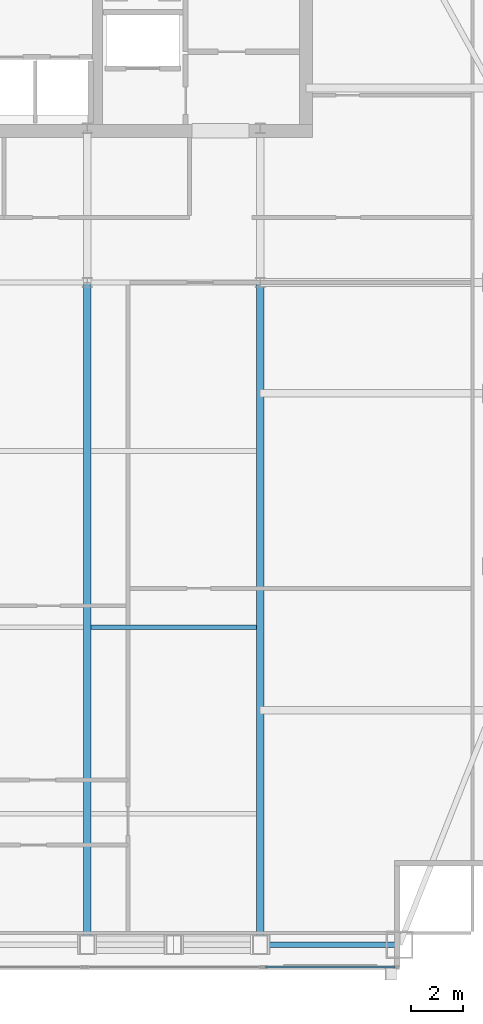
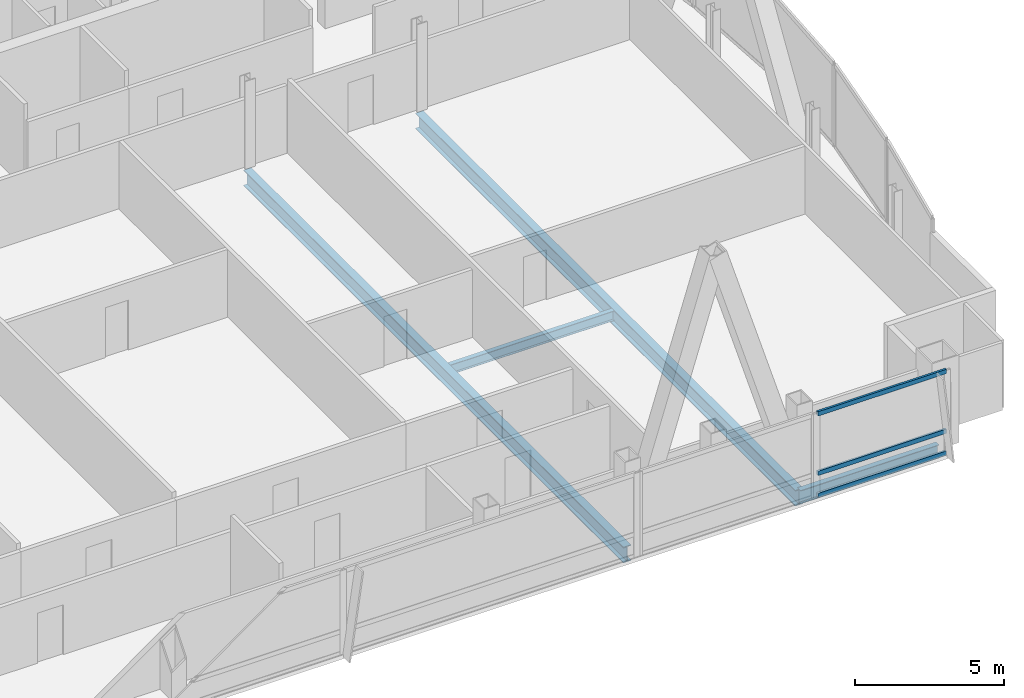
# One storey, part 15 of 31: 4 beams, 3 members, 1 element without a shape of its own.
"""IFC4 building model written with IfcOpenShell, lengths in metres."""

import ifcopenshell
import ifcopenshell.guid

model = None  # the IFC model being written
_history = None  # IfcOwnerHistory: only IFC2X3 demands one
_inside = {}  # id of a spatial element -> (the spatial element, [elements in it])
_under = {}  # id of a project, library or spatial element -> (it, [spatial elements below it])
_declared = {}  # id of a project -> (the project, [libraries it declares])
_typed = {}  # id of a type object -> (the type object, [elements of that type])
_made_of = {}  # id of a material, layer set ... -> (it, [elements and type objects made of it])


def new_model(schema):
    """Start an empty IFC model of exactly this schema.

    Asked for "IFC4X3", IfcOpenShell would pick the latest addendum, in which some entities
    have other attributes; the version numbers below select the first issue.
    IFC2X3 requires an IfcOwnerHistory on every rooted entity: one is made here for all.
    """
    global model, _history
    if schema == "IFC4X3":
        model = ifcopenshell.file(schema_version=(4, 3, 0, 0))
    else:
        model = ifcopenshell.file(schema=schema)
    _inside.clear()
    _under.clear()
    _declared.clear()
    _typed.clear()
    _made_of.clear()
    _history = None
    if model.schema == "IFC2X3":
        org = make("IfcOrganization", Name="unknown")
        user = make(
            "IfcPersonAndOrganization",
            ThePerson=make("IfcPerson", FamilyName="unknown"),
            TheOrganization=org,
        )
        app = make(
            "IfcApplication",
            ApplicationDeveloper=org,
            Version="unknown",
            ApplicationFullName="unknown",
            ApplicationIdentifier="unknown",
        )
        _history = make(
            "IfcOwnerHistory",
            OwningUser=user,
            OwningApplication=app,
            ChangeAction="ADDED",
            CreationDate=0,
        )
    return model


def make(cls, **values):
    """One entity of the class cls with the attributes given. An attribute that is None is left unset."""
    return model.create_entity(
        cls, **{name: value for name, value in values.items() if value is not None}
    )


def rooted(cls, **values):
    """An entity with a GlobalId (a new one), such as an element, a storey or a relation."""
    return make(cls, GlobalId=ifcopenshell.guid.new(), OwnerHistory=_history, **values)


def si_unit(unit_type, name, prefix=None):
    """IfcSIUnit, for example si_unit("LENGTHUNIT", "METRE", prefix="MILLI")."""
    return make("IfcSIUnit", UnitType=unit_type, Prefix=prefix, Name=name)


def assignment(units):
    """IfcUnitAssignment: the units of a project."""
    return None if units is None else make("IfcUnitAssignment", Units=units)


def point(xyz):
    """IfcCartesianPoint."""
    return None if xyz is None else make("IfcCartesianPoint", Coordinates=xyz)


def direction(xyz):
    """IfcDirection."""
    return None if xyz is None else make("IfcDirection", DirectionRatios=xyz)


def frame(location, z_axis=None, x_axis=None):
    """IfcAxis2Placement3D, a coordinate frame: its origin and axes. An axis left out is left unset."""
    return make(
        "IfcAxis2Placement3D",
        Location=point(location),
        Axis=direction(z_axis),
        RefDirection=direction(x_axis),
    )


def frame_2d(location, x_axis=None):
    """IfcAxis2Placement2D, a coordinate frame in the plane: its origin and x axis."""
    return make(
        "IfcAxis2Placement2D", Location=point(location), RefDirection=direction(x_axis)
    )


def origin():
    """The frame at (0, 0, 0) with its axes left unset."""
    return frame((0.0, 0.0, 0.0))


def origin_2d():
    """The frame at (0, 0) in the plane with its x axis left unset."""
    return frame_2d((0.0, 0.0))


def place(relative_to, where):
    """IfcLocalPlacement: puts the frame where relative to a parent placement (None: the world)."""
    return make(
        "IfcLocalPlacement", PlacementRelTo=relative_to, RelativePlacement=where
    )


def context(
    kind, dimensions, precision=None, world=None, true_north=None, identifier=None
):
    """IfcGeometricRepresentationContext, for example the 3D "Model" context."""
    return make(
        "IfcGeometricRepresentationContext",
        ContextIdentifier=identifier,
        ContextType=kind,
        CoordinateSpaceDimension=dimensions,
        Precision=precision,
        WorldCoordinateSystem=world,
        TrueNorth=true_north,
    )


def subcontext(parent, identifier, kind, view, scale=None):
    """IfcGeometricRepresentationSubContext, for example "Body" below "Model"."""
    return make(
        "IfcGeometricRepresentationSubContext",
        ContextIdentifier=identifier,
        ContextType=kind,
        ParentContext=parent,
        TargetScale=scale,
        TargetView=view,
    )


def project(units=None, contexts=None):
    """IfcProject with its units and contexts."""
    return rooted(
        "IfcProject",
        Name="project",
        RepresentationContexts=contexts,
        UnitsInContext=assignment(units),
    )


def spatial(cls, under=None, at=None, **own):
    """A site, building, storey or space (cls), placed at a placement, below another one or the project."""
    s = rooted(cls, ObjectPlacement=at, **own)
    if under is not None:
        _under.setdefault(under.id(), (under, []))[1].append(s)
    return s


def profile(cls, at=None, kind="AREA", **sizes):
    """A parametric profile (cls). Its sizes go by their IFC names, for example OverallWidth=200.0."""
    return make(cls, ProfileType=kind, Position=at, **sizes)


def hollow_rectangle(**sizes):
    """IfcRectangleHollowProfileDef."""
    return profile("IfcRectangleHollowProfileDef", **sizes)


def i_section(**sizes):
    """IfcIShapeProfileDef."""
    return profile("IfcIShapeProfileDef", **sizes)


def extrude(swept, where, along, depth):
    """IfcExtrudedAreaSolid: the profile swept, set in the frame where, extruded along a direction by depth."""
    return make(
        "IfcExtrudedAreaSolid",
        SweptArea=swept,
        Position=where,
        ExtrudedDirection=direction(along),
        Depth=depth,
    )


def shape(context_of_items, identifier, shape_type, items):
    """IfcShapeRepresentation: the items that make up one representation, for example the "Body"."""
    return make(
        "IfcShapeRepresentation",
        ContextOfItems=context_of_items,
        RepresentationIdentifier=identifier,
        RepresentationType=shape_type,
        Items=items,
    )


def material(Name=None, Category=None):
    """IfcMaterial."""
    return make("IfcMaterial", Name=Name, Category=Category)


def material_profile(
    of_material, cross_section, Name=None, Category=None, Priority=None
):
    """IfcMaterialProfile: a cross section and its material."""
    return make(
        "IfcMaterialProfile",
        Name=Name,
        Material=of_material,
        Profile=cross_section,
        Priority=Priority,
        Category=Category,
    )


def profile_set(profiles, Name=None, composite=None):
    """IfcMaterialProfileSet."""
    return make(
        "IfcMaterialProfileSet",
        Name=Name,
        MaterialProfiles=profiles,
        CompositeProfile=composite,
    )


def made_of(thing, what):
    """Note that an element or type object is made of a material, layer set ...; save() writes the relation."""
    if what is not None:
        _made_of.setdefault(what.id(), (what, []))[1].append(thing)
    return thing


def type_object(cls, material=None, **own):
    """A type object (cls), such as IfcWallType, which elements share."""
    return made_of(rooted(cls, **own), material)


def element(
    cls,
    number,
    at=None,
    inside=None,
    cuts=None,
    type_object=None,
    material=None,
    context=None,
    identifier="Body",
    shape_type=None,
    held_by="IfcProductDefinitionShape",
    body=None,
    shapes=None,
    **own,
):
    """One element of the class cls, such as IfcWall. Its Tag is "e" and its number.

    at: its placement. inside: the storey or other place that contains it. cuts: it is an
    opening in that element (IfcRelVoidsElement). A single representation is given by context,
    identifier, shape_type and body (its items); several are given by shapes. held_by: the class
    of the entity that holds the representations. save() writes the other relations.
    """
    e = rooted(cls, Tag="e%d" % number, ObjectPlacement=at, **own)
    if body is not None:
        shapes = [shape(context, identifier, shape_type, body)]
    if shapes is not None:
        e.Representation = make(held_by, Representations=shapes)
    if inside is not None:
        _inside.setdefault(inside.id(), (inside, []))[1].append(e)
    if cuts is not None:
        rooted(
            "IfcRelVoidsElement", RelatingBuildingElement=cuts, RelatedOpeningElement=e
        )
    if type_object is not None:
        _typed.setdefault(type_object.id(), (type_object, []))[1].append(e)
    return made_of(e, material)


def aggregate(whole, parts):
    """IfcRelAggregates: a whole, such as a stair, and the parts it consists of."""
    return rooted("IfcRelAggregates", RelatingObject=whole, RelatedObjects=parts)


def save(model, path):
    """Write the relations noted so far, then the file.

    IfcRelAggregates (storeys below a building ...), IfcRelContainedInSpatialStructure (elements
    in a storey), IfcRelDefinesByType, IfcRelAssociatesMaterial and IfcRelDeclares: one each for
    every whole, place, type object, material and project.
    """
    for whole, parts in _under.values():
        aggregate(whole, parts)
    for where, things in _inside.values():
        rooted(
            "IfcRelContainedInSpatialStructure",
            RelatedElements=things,
            RelatingStructure=where,
        )
    for kind, things in _typed.values():
        rooted("IfcRelDefinesByType", RelatedObjects=things, RelatingType=kind)
    for what, things in _made_of.values():
        rooted("IfcRelAssociatesMaterial", RelatedObjects=things, RelatingMaterial=what)
    for by, libraries in _declared.values():
        rooted("IfcRelDeclares", RelatingContext=by, RelatedDefinitions=libraries)
    model.write(path)


model = new_model("IFC4")

# Units and contexts
model_context = context("Model", 3, precision=1e-05, world=origin(), true_north=direction((0.0, 1.0)))
body_context = subcontext(model_context, "Body", "Model", "MODEL_VIEW")
ifc_project = project(units=[si_unit("LENGTHUNIT", "METRE"), si_unit("AREAUNIT", "SQUARE_METRE"), si_unit("VOLUMEUNIT", "CUBIC_METRE"), si_unit("PLANEANGLEUNIT", "RADIAN"), si_unit("MASSUNIT", "GRAM", prefix="KILO")], contexts=[model_context])

# Site, building, storey
site_placement = place(None, origin())
site = spatial("IfcSite", under=ifc_project, at=site_placement, CompositionType="ELEMENT")
building_placement = place(site_placement, origin())
building = spatial("IfcBuilding", under=site, at=building_placement, Name="Khoronbel Lancet Exchange", CompositionType="ELEMENT")
storey_placement = place(building_placement, frame((0.0, 0.0, 273.39990234375)))
storey = spatial("IfcBuildingStorey", under=building, at=storey_placement, Name="L70", CompositionType="ELEMENT", Elevation=273.39990234375)

# Beams
ifc_material_1 = material(Name="Steel S355", Category="steel")
ifc_material_profile_1 = material_profile(ifc_material_1, i_section(OverallWidth=0.300048828125, OverallDepth=0.64990234375, WebThickness=0.01611328125, FlangeThickness=0.031005859375, at=origin_2d()), Name="HEB 650")
ifc_profile_set_1 = profile_set([ifc_material_profile_1], Name="Steel S355")
beam_type_1 = type_object("IfcBeamType", Name="BM-BG4", PredefinedType="BEAM", material=ifc_profile_set_1)
for number, where, z_axis, x_axis, name in (
    (1, (48.0, 10.14990234375, -0.48486328125), (0.0, 1.0, 0.0), (-1.0, 0.0, 0.0), "Level L70 south primary girder GS5"),
    (2, (54.675048828125, 10.14990234375, -0.48486328125), (0.0, 1.0, 0.0), (-1.0, 0.0, 0.0), "Level L70 south primary girder GS6"),
):
    element("IfcBeam", number, at=place(storey_placement, frame(where, z_axis=z_axis, x_axis=x_axis)), inside=storey, type_object=beam_type_1, Name=name, PredefinedType="BEAM", context=body_context, shape_type="SweptSolid", body=[
        extrude(i_section(OverallWidth=0.300048828125, OverallDepth=0.64990234375, WebThickness=0.01611328125, FlangeThickness=0.031005859375, at=origin_2d()), origin(), (0.0, 0.0, 1.0), 25.550048828125),
    ])
ifc_material_profile_2 = material_profile(ifc_material_1, i_section(OverallWidth=0.179931640625, OverallDepth=0.39990234375, WebThickness=0.008544921875, FlangeThickness=0.013427734375, at=origin_2d()), Name="IPE 400")
ifc_profile_set_2 = profile_set([ifc_material_profile_2], Name="Steel S355")
beam_type_2 = type_object("IfcBeamType", Name="BM-BJ5", PredefinedType="JOIST", material=ifc_profile_set_2)
beam_1_placement = place(storey_placement, frame((48.14990234375, 22.39990234375, -0.35986328125), z_axis=(1.0, 0.0, 0.0), x_axis=(0.0, 1.0, 0.0)))
element("IfcBeam", 3, at=beam_1_placement, inside=storey, type_object=beam_type_2, Name="Level L70 secondary composite joist J10", PredefinedType="JOIST", context=body_context, shape_type="SweptSolid", body=[
    extrude(i_section(OverallWidth=0.179931640625, OverallDepth=0.39990234375, WebThickness=0.008544921875, FlangeThickness=0.013427734375, at=origin_2d()), origin(), (0.0, 0.0, 1.0), 6.375),
])
ifc_material_profile_3 = material_profile(ifc_material_1, i_section(OverallWidth=0.2099609375, OverallDepth=0.550048828125, WebThickness=0.010986328125, FlangeThickness=0.01708984375, at=origin_2d()), Name="IPE 550")
ifc_profile_set_3 = profile_set([ifc_material_profile_3], Name="Steel S355")
beam_type_3 = type_object("IfcBeamType", Name="BM-BSP3", PredefinedType="SPANDREL", material=ifc_profile_set_3)
beam_2_placement = place(storey_placement, frame((54.675048828125, 10.14990234375, -0.434814453125), z_axis=(1.0, 0.0, 0.0), x_axis=(0.0, 1.0, 0.0)))
element("IfcBeam", 4, at=beam_2_placement, inside=storey, type_object=beam_type_3, Name="Level L70 perimeter spandrel beam SP09", PredefinedType="SPANDREL", context=body_context, shape_type="SweptSolid", body=[
    extrude(i_section(OverallWidth=0.2099609375, OverallDepth=0.550048828125, WebThickness=0.010986328125, FlangeThickness=0.01708984375, at=origin_2d()), origin(), (0.0, 0.0, 1.0), 5.375),
])

# Curtain wall, members
ifc_material_2 = material(Name="Low-E Solar Control Insulating Glass", Category="glass")
curtain_wall_type = type_object("IfcCurtainWallType", Name="CW-3", PredefinedType="NOTDEFINED", material=ifc_material_2)
curtain_wall_placement = place(storey_placement, origin())
curtain_wall = element("IfcCurtainWall", 5, at=curtain_wall_placement, inside=storey, type_object=curtain_wall_type, Name="Unitised curtain wall CW-L70-SEV", PredefinedType="NOTDEFINED")
ifc_material_3 = material(Name="Bronze-Anodised Aluminium 6063-T6", Category="aluminium")
ifc_material_profile_4 = material_profile(ifc_material_3, hollow_rectangle(XDim=0.0849609375, YDim=0.179931640625, WallThickness=0.0048828125, at=origin_2d()), Name="ALU TRANSOM 85x180")
ifc_profile_set_4 = profile_set([ifc_material_profile_4], Name="Bronze-Anodised Aluminium 6063-T6")
member_type = type_object("IfcMemberType", Name="MEM-CWT1", PredefinedType="USERDEFINED", material=ifc_profile_set_4)
member_1_placement = place(storey_placement, frame((54.885009765625, 9.2900390625, 0.04248046875), z_axis=(1.0, 0.0, 0.0), x_axis=(0.0, 1.0, 0.0)))
member_1 = element("IfcMember", 6, at=member_1_placement, type_object=member_type, Name="CW3 transom 1.1", ObjectType="TRANSOM", PredefinedType="USERDEFINED", context=body_context, shape_type="SweptSolid", body=[
    extrude(hollow_rectangle(XDim=0.0849609375, YDim=0.179931640625, WallThickness=0.0048828125, at=origin_2d()), origin(), (0.0, 0.0, 1.0), 4.989990234375),
])
member_2_placement = place(storey_placement, frame((54.885009765625, 9.2900390625, 0.9501953125), z_axis=(1.0, 0.0, 0.0), x_axis=(0.0, 1.0, 0.0)))
member_2 = element("IfcMember", 7, at=member_2_placement, type_object=member_type, Name="CW3 transom 1.2", ObjectType="TRANSOM", PredefinedType="USERDEFINED", context=body_context, shape_type="SweptSolid", body=[
    extrude(hollow_rectangle(XDim=0.0849609375, YDim=0.179931640625, WallThickness=0.0048828125, at=origin_2d()), origin(), (0.0, 0.0, 1.0), 4.989990234375),
])
member_3_placement = place(storey_placement, frame((54.885009765625, 9.2900390625, 3.397705078125), z_axis=(1.0, 0.0, 0.0), x_axis=(0.0, 1.0, 0.0)))
member_3 = element("IfcMember", 8, at=member_3_placement, type_object=member_type, Name="CW3 transom 1.3", ObjectType="TRANSOM", PredefinedType="USERDEFINED", context=body_context, shape_type="SweptSolid", body=[
    extrude(hollow_rectangle(XDim=0.0849609375, YDim=0.179931640625, WallThickness=0.0048828125, at=origin_2d()), origin(), (0.0, 0.0, 1.0), 4.989990234375),
])
aggregate(curtain_wall, [member_1, member_2, member_3])

save(model, "model.ifc")
